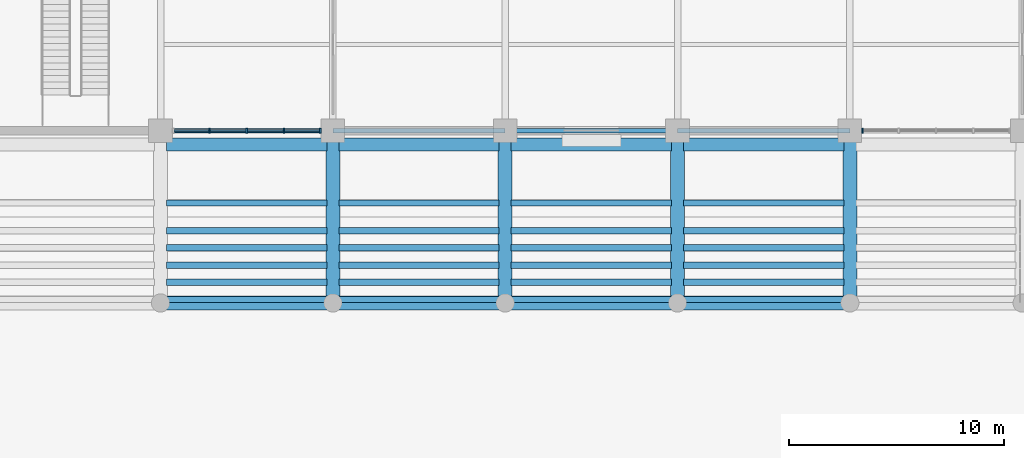
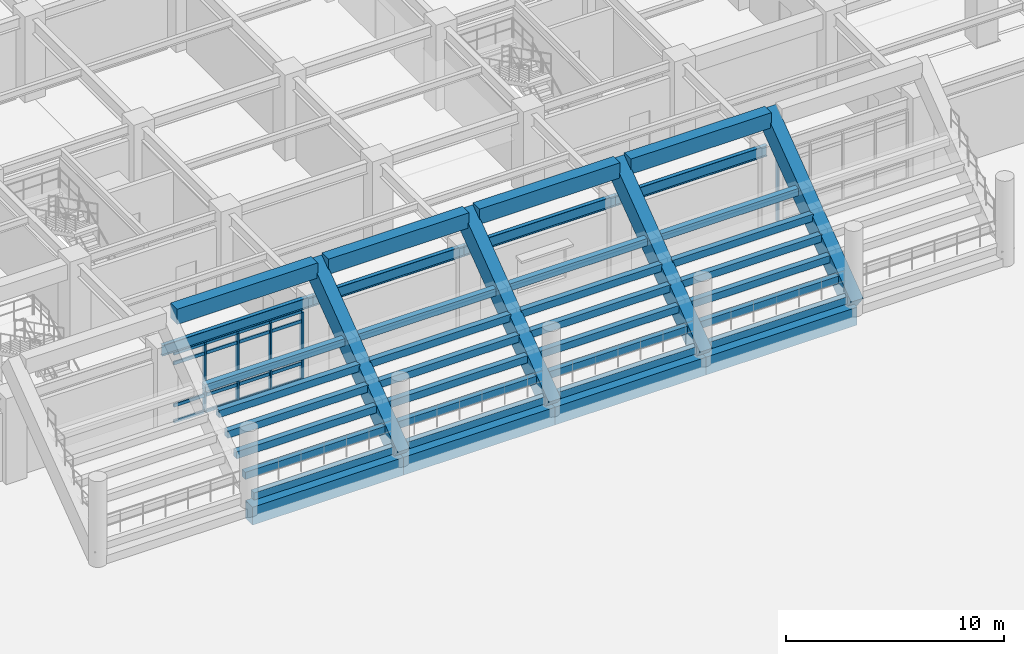
# One storey, part 46 of 125: 40 beams, 21 members, 2 elements without a shape of their own.
"""IFC4 building model written with IfcOpenShell, lengths in metres."""

from ifc_helpers import new_model, si_unit, direction, frame, origin, origin_2d, place, context, subcontext, project, spatial, rectangle, i_section, extrude, material, layer, layer_set, material_profile, profile_set, type_object, element, aggregate, save


model = new_model("IFC4")

# Units and contexts
model_context = context("Model", 3, precision=1e-05, world=origin(), true_north=direction((0.0, 1.0)))
body_context = subcontext(model_context, "Body", "Model", "MODEL_VIEW")
ifc_project = project(units=[si_unit("LENGTHUNIT", "METRE"), si_unit("AREAUNIT", "SQUARE_METRE"), si_unit("VOLUMEUNIT", "CUBIC_METRE"), si_unit("PLANEANGLEUNIT", "RADIAN"), si_unit("MASSUNIT", "GRAM", prefix="KILO")], contexts=[model_context])

# Site, building, storey
site_placement = place(None, origin())
site = spatial("IfcSite", under=ifc_project, at=site_placement, CompositionType="ELEMENT")
building_placement = place(site_placement, origin())
building = spatial("IfcBuilding", under=site, at=building_placement, Name="Haebicheon Civic Stadium", CompositionType="ELEMENT")
storey_placement = place(building_placement, origin())
storey = spatial("IfcBuildingStorey", under=building, at=storey_placement, Name="L01", CompositionType="ELEMENT", Elevation=0.0)

# Beams
ifc_material_1 = material(Name="Precast concrete C40/50", Category="concrete")
ifc_material_profile_1 = material_profile(ifc_material_1, rectangle(XDim=0.300048828125, YDim=0.39990234375, at=origin_2d()), Name="PC-LN-300x400")
ifc_profile_set_1 = profile_set([ifc_material_profile_1], Name="Precast concrete C40/50")
beam_type_1 = type_object("IfcBeamType", Name="BM-LN-300x400", PredefinedType="LINTEL", material=ifc_profile_set_1)
for number, where, z_axis, x_axis, name in (
    (1, (88.280029296875, 144.159912109375, 0.760009765625), (1.0, 0.0, 0.0), (0.0, 1.0, 0.0), "TIER-N-L precast step carrier beam 2.1"),
    (2, (88.280029296875, 144.9599609375, 1.427001953125), (1.0, 0.0, 0.0), (0.0, 1.0, 0.0), "TIER-N-L precast step carrier beam 2.2"),
    (3, (88.280029296875, 145.760009765625, 2.093017578125), (1.0, 0.0, 0.0), (0.0, 1.0, 0.0), "TIER-N-L precast step carrier beam 2.3"),
    (4, (88.280029296875, 146.56005859375, 2.760009765625), (1.0, 0.0, 0.0), (0.0, 1.0, 0.0), "TIER-N-L precast step carrier beam 2.4"),
    (5, (88.280029296875, 147.360107421875, 3.427001953125), (1.0, 0.0, 0.0), (0.0, 1.0, 0.0), "TIER-N-L precast step carrier beam 2.5"),
    (6, (88.280029296875, 148.639892578125, 4.093017578125), (1.0, 0.0, 0.0), (0.0, 1.0, 0.0), "TIER-N-L precast step carrier beam 2.6"),
    (7, (96.280029296875, 144.159912109375, 0.760009765625), (1.0, 0.0, 0.0), (0.0, 1.0, 0.0), "TIER-N-L precast step carrier beam 3.1"),
    (8, (96.280029296875, 144.9599609375, 1.427001953125), (1.0, 0.0, 0.0), (0.0, 1.0, 0.0), "TIER-N-L precast step carrier beam 3.2"),
    (9, (96.280029296875, 145.760009765625, 2.093017578125), (1.0, 0.0, 0.0), (0.0, 1.0, 0.0), "TIER-N-L precast step carrier beam 3.3"),
    (10, (96.280029296875, 146.56005859375, 2.760009765625), (1.0, 0.0, 0.0), (0.0, 1.0, 0.0), "TIER-N-L precast step carrier beam 3.4"),
    (11, (96.280029296875, 147.360107421875, 3.427001953125), (1.0, 0.0, 0.0), (0.0, 1.0, 0.0), "TIER-N-L precast step carrier beam 3.5"),
    (12, (96.280029296875, 148.639892578125, 4.093017578125), (1.0, 0.0, 0.0), (0.0, 1.0, 0.0), "TIER-N-L precast step carrier beam 3.6"),
    (13, (104.280029296875, 144.159912109375, 0.760009765625), (1.0, 0.0, 0.0), (0.0, 1.0, 0.0), "TIER-N-L precast step carrier beam 4.1"),
    (14, (104.280029296875, 144.9599609375, 1.427001953125), (1.0, 0.0, 0.0), (0.0, 1.0, 0.0), "TIER-N-L precast step carrier beam 4.2"),
    (15, (104.280029296875, 145.760009765625, 2.093017578125), (1.0, 0.0, 0.0), (0.0, 1.0, 0.0), "TIER-N-L precast step carrier beam 4.3"),
    (16, (104.280029296875, 146.56005859375, 2.760009765625), (1.0, 0.0, 0.0), (0.0, 1.0, 0.0), "TIER-N-L precast step carrier beam 4.4"),
    (17, (104.280029296875, 147.360107421875, 3.427001953125), (1.0, 0.0, 0.0), (0.0, 1.0, 0.0), "TIER-N-L precast step carrier beam 4.5"),
    (18, (104.280029296875, 148.639892578125, 4.093017578125), (1.0, 0.0, 0.0), (0.0, 1.0, 0.0), "TIER-N-L precast step carrier beam 4.6"),
    (19, (112.280029296875, 144.159912109375, 0.760009765625), (1.0, 0.0, 0.0), (0.0, 1.0, 0.0), "TIER-N-L precast step carrier beam 5.1"),
    (20, (112.280029296875, 144.9599609375, 1.427001953125), (1.0, 0.0, 0.0), (0.0, 1.0, 0.0), "TIER-N-L precast step carrier beam 5.2"),
    (21, (112.280029296875, 145.760009765625, 2.093017578125), (1.0, 0.0, 0.0), (0.0, 1.0, 0.0), "TIER-N-L precast step carrier beam 5.3"),
    (22, (112.280029296875, 146.56005859375, 2.760009765625), (1.0, 0.0, 0.0), (0.0, 1.0, 0.0), "TIER-N-L precast step carrier beam 5.4"),
    (23, (112.280029296875, 147.360107421875, 3.427001953125), (1.0, 0.0, 0.0), (0.0, 1.0, 0.0), "TIER-N-L precast step carrier beam 5.5"),
    (24, (112.280029296875, 148.639892578125, 4.093017578125), (1.0, 0.0, 0.0), (0.0, 1.0, 0.0), "TIER-N-L precast step carrier beam 5.6"),
):
    element("IfcBeam", number, at=place(storey_placement, frame(where, z_axis=z_axis, x_axis=x_axis)), inside=storey, type_object=beam_type_1, material=ifc_profile_set_1, Name=name, PredefinedType="LINTEL", context=body_context, shape_type="SweptSolid", body=[
        extrude(rectangle(XDim=0.300048828125, YDim=0.39990234375, at=origin_2d()), origin(), (0.0, 0.0, 1.0), 7.43994140625),
    ])
ifc_material_2 = material(Name="Concrete C40/50", Category="concrete")
ifc_material_profile_2 = material_profile(ifc_material_2, rectangle(XDim=0.64990234375, YDim=1.0, at=origin_2d()), Name="RC-BM-650x1000")
ifc_profile_set_2 = profile_set([ifc_material_profile_2], Name="Concrete C40/50")
beam_type_2 = type_object("IfcBeamType", Name="BM-RC-650x1000", PredefinedType="BEAM", material=ifc_profile_set_2)
for number, where, z_axis, x_axis, name in (
    (25, (88.0, 144.0, -0.0400390625), (1.0, 0.0, 0.0), (0.0, 1.0, 0.0), "TIER-N-L nose support girder 2"),
    (26, (96.0, 144.0, -0.0400390625), (1.0, 0.0, 0.0), (0.0, 1.0, 0.0), "TIER-N-L nose support girder 3"),
    (27, (104.0, 144.0, -0.0400390625), (1.0, 0.0, 0.0), (0.0, 1.0, 0.0), "TIER-N-L nose support girder 4"),
    (28, (112.0, 144.0, -0.0400390625), (1.0, 0.0, 0.0), (0.0, 1.0, 0.0), "TIER-N-L nose support girder 5"),
):
    element("IfcBeam", number, at=place(storey_placement, frame(where, z_axis=z_axis, x_axis=x_axis)), inside=storey, type_object=beam_type_2, material=ifc_profile_set_2, Name=name, PredefinedType="BEAM", context=body_context, shape_type="SweptSolid", body=[
        extrude(rectangle(XDim=0.64990234375, YDim=1.0, at=origin_2d()), origin(), (0.0, 0.0, 1.0), 8.0),
    ])
ifc_material_3 = material(Name="Precast concrete C40/50", Category="concrete")
ifc_material_profile_3 = material_profile(ifc_material_3, rectangle(XDim=0.60009765625, YDim=0.85009765625, at=origin_2d()), Name="PC-TB-600x850")
ifc_profile_set_3 = profile_set([ifc_material_profile_3], Name="Precast concrete C40/50")
beam_type_3 = type_object("IfcBeamType", Name="BM-TB-600x850", PredefinedType="T_BEAM", material=ifc_profile_set_3)
for number, where, z_axis, x_axis, name in (
    (29, (88.280029296875, 151.360107421875, 6.534912109375), (1.0, 0.0, 0.0), (0.0, 1.0, 0.0), "TIER-N-L upper tier bench carrier beam 2"),
    (30, (96.280029296875, 151.360107421875, 6.534912109375), (1.0, 0.0, 0.0), (0.0, 1.0, 0.0), "TIER-N-L upper tier bench carrier beam 3"),
    (31, (104.280029296875, 151.360107421875, 6.534912109375), (1.0, 0.0, 0.0), (0.0, 1.0, 0.0), "TIER-N-L upper tier bench carrier beam 4"),
    (32, (112.280029296875, 151.360107421875, 6.534912109375), (1.0, 0.0, 0.0), (0.0, 1.0, 0.0), "TIER-N-L upper tier bench carrier beam 5"),
):
    element("IfcBeam", number, at=place(storey_placement, frame(where, z_axis=z_axis, x_axis=x_axis)), inside=storey, type_object=beam_type_3, material=ifc_profile_set_3, Name=name, PredefinedType="T_BEAM", context=body_context, shape_type="SweptSolid", body=[
        extrude(rectangle(XDim=0.60009765625, YDim=0.85009765625, at=origin_2d()), origin(), (0.0, 0.0, 1.0), 7.43994140625),
    ])

# Curtain wall, members
ifc_material_4 = material(Name="Anodised aluminium and laminated glass", Category="aluminium")
ifc_layer = layer(ifc_material_4, 0.179931640625, Name="Anodised aluminium and laminated glass")
ifc_layer_set = layer_set([ifc_layer], Name="Anodised aluminium and laminated glass")
curtain_wall_type = type_object("IfcCurtainWallType", Name="CW-6900x3810", PredefinedType="NOTDEFINED", material=ifc_layer_set)
curtain_wall_1_placement = place(storey_placement, origin())
curtain_wall_1 = element("IfcCurtainWall", 33, at=curtain_wall_1_placement, inside=storey, type_object=curtain_wall_type, material=ifc_layer_set, Name="L01 unitised curtain wall 010", PredefinedType="NOTDEFINED")
ifc_material_5 = material(Name="Anodised aluminium 6063-T6", Category="aluminium")
ifc_material_profile_4 = material_profile(ifc_material_5, rectangle(XDim=0.080078125, YDim=0.239990234375, at=origin_2d()), Name="ALU-MULL-80x240")
ifc_profile_set_4 = profile_set([ifc_material_profile_4], Name="Anodised aluminium 6063-T6")
member_type_1 = type_object("IfcMemberType", Name="CWM-240x80", PredefinedType="MULLION", material=ifc_profile_set_4)
member_1_placement = place(storey_placement, frame((90.27490234375, 152.0, 0.0), z_axis=(0.0, 0.0, 1.0), x_axis=(1.0, 0.0, 0.0)))
member_1 = element("IfcMember", 34, at=member_1_placement, type_object=member_type_1, material=ifc_profile_set_4, Name="CW-L01-010 vertical mullion 2", PredefinedType="MULLION", context=body_context, shape_type="SweptSolid", body=[
    extrude(rectangle(XDim=0.080078125, YDim=0.239990234375, at=origin_2d()), origin(), (0.0, 0.0, 1.0), 3.81005859375),
])
member_2_placement = place(storey_placement, frame((92.0, 152.0, 0.0), z_axis=(0.0, 0.0, 1.0), x_axis=(1.0, 0.0, 0.0)))
member_2 = element("IfcMember", 35, at=member_2_placement, type_object=member_type_1, material=ifc_profile_set_4, Name="CW-L01-010 vertical mullion 3", PredefinedType="MULLION", context=body_context, shape_type="SweptSolid", body=[
    extrude(rectangle(XDim=0.080078125, YDim=0.239990234375, at=origin_2d()), origin(), (0.0, 0.0, 1.0), 3.81005859375),
])
member_3_placement = place(storey_placement, frame((93.72509765625, 152.0, 0.0), z_axis=(0.0, 0.0, 1.0), x_axis=(1.0, 0.0, 0.0)))
member_3 = element("IfcMember", 36, at=member_3_placement, type_object=member_type_1, material=ifc_profile_set_4, Name="CW-L01-010 vertical mullion 4", PredefinedType="MULLION", context=body_context, shape_type="SweptSolid", body=[
    extrude(rectangle(XDim=0.080078125, YDim=0.239990234375, at=origin_2d()), origin(), (0.0, 0.0, 1.0), 3.81005859375),
])
member_4_placement = place(storey_placement, frame((95.409912109375, 152.0, 0.0), z_axis=(0.0, 0.0, 1.0), x_axis=(1.0, 0.0, 0.0)))
member_4 = element("IfcMember", 37, at=member_4_placement, type_object=member_type_1, material=ifc_profile_set_4, Name="CW-L01-010 vertical mullion 5", PredefinedType="MULLION", context=body_context, shape_type="SweptSolid", body=[
    extrude(rectangle(XDim=0.080078125, YDim=0.239990234375, at=origin_2d()), origin(), (0.0, 0.0, 1.0), 3.81005859375),
])

# Curtain wall, member
curtain_wall_2_placement = place(storey_placement, origin())
curtain_wall_2 = element("IfcCurtainWall", 38, at=curtain_wall_2_placement, inside=storey, type_object=curtain_wall_type, material=ifc_layer_set, Name="L01 unitised curtain wall 011", PredefinedType="NOTDEFINED")
member_5_placement = place(storey_placement, frame((120.590087890625, 152.0, 0.0), z_axis=(0.0, 0.0, 1.0), x_axis=(1.0, 0.0, 0.0)))
member_5 = element("IfcMember", 39, at=member_5_placement, type_object=member_type_1, material=ifc_profile_set_4, Name="CW-L01-011 vertical mullion 1", PredefinedType="MULLION", context=body_context, shape_type="SweptSolid", body=[
    extrude(rectangle(XDim=0.080078125, YDim=0.239990234375, at=origin_2d()), origin(), (0.0, 0.0, 1.0), 3.81005859375),
])
aggregate(curtain_wall_2, [member_5])

# Member
ifc_material_6 = material(Name="Anodised aluminium 6063-T6", Category="aluminium")
ifc_material_profile_5 = material_profile(ifc_material_6, rectangle(XDim=0.080078125, YDim=0.179931640625, at=origin_2d()), Name="ALU-TRAN-80x180")
ifc_profile_set_5 = profile_set([ifc_material_profile_5], Name="Anodised aluminium 6063-T6")
member_type_2 = type_object("IfcMemberType", Name="CWT-180x80", PredefinedType="NOTDEFINED", material=ifc_profile_set_5)
member_6_placement = place(storey_placement, frame((88.6298828125, 152.0, 0.0), z_axis=(1.0, 0.0, 0.0), x_axis=(0.0, 1.0, 0.0)))
member_6 = element("IfcMember", 40, at=member_6_placement, type_object=member_type_2, material=ifc_profile_set_5, Name="CW-L01-010 horizontal transom 1.1", ObjectType="TRANSOM", PredefinedType="USERDEFINED", context=body_context, shape_type="SweptSolid", body=[
    extrude(rectangle(XDim=0.080078125, YDim=0.179931640625, at=origin_2d()), origin(), (0.0, 0.0, 1.0), 1.605224609375),
])

member_7_placement = place(storey_placement, frame((88.6298828125, 152.0, 0.89990234375), z_axis=(1.0, 0.0, 0.0), x_axis=(0.0, 1.0, 0.0)))
member_7 = element("IfcMember", 41, at=member_7_placement, type_object=member_type_2, material=ifc_profile_set_5, Name="CW-L01-010 horizontal transom 1.2", ObjectType="TRANSOM", PredefinedType="USERDEFINED", context=body_context, shape_type="SweptSolid", body=[
    extrude(rectangle(XDim=0.080078125, YDim=0.179931640625, at=origin_2d()), origin(), (0.0, 0.0, 1.0), 1.605224609375),
])

member_8_placement = place(storey_placement, frame((88.6298828125, 152.0, 3.260009765625), z_axis=(1.0, 0.0, 0.0), x_axis=(0.0, 1.0, 0.0)))
member_8 = element("IfcMember", 42, at=member_8_placement, type_object=member_type_2, material=ifc_profile_set_5, Name="CW-L01-010 horizontal transom 1.3", ObjectType="TRANSOM", PredefinedType="USERDEFINED", context=body_context, shape_type="SweptSolid", body=[
    extrude(rectangle(XDim=0.080078125, YDim=0.179931640625, at=origin_2d()), origin(), (0.0, 0.0, 1.0), 1.605224609375),
])

member_9_placement = place(storey_placement, frame((88.6298828125, 152.0, 3.81005859375), z_axis=(1.0, 0.0, 0.0), x_axis=(0.0, 1.0, 0.0)))
member_9 = element("IfcMember", 43, at=member_9_placement, type_object=member_type_2, material=ifc_profile_set_5, Name="CW-L01-010 horizontal transom 1.4", ObjectType="TRANSOM", PredefinedType="USERDEFINED", context=body_context, shape_type="SweptSolid", body=[
    extrude(rectangle(XDim=0.080078125, YDim=0.179931640625, at=origin_2d()), origin(), (0.0, 0.0, 1.0), 1.605224609375),
])

member_10_placement = place(storey_placement, frame((90.31494140625, 152.0, 0.0), z_axis=(1.0, 0.0, 0.0), x_axis=(0.0, 1.0, 0.0)))
member_10 = element("IfcMember", 44, at=member_10_placement, type_object=member_type_2, material=ifc_profile_set_5, Name="CW-L01-010 horizontal transom 2.1", ObjectType="TRANSOM", PredefinedType="USERDEFINED", context=body_context, shape_type="SweptSolid", body=[
    extrude(rectangle(XDim=0.080078125, YDim=0.179931640625, at=origin_2d()), origin(), (0.0, 0.0, 1.0), 1.64501953125),
])

member_11_placement = place(storey_placement, frame((90.31494140625, 152.0, 0.89990234375), z_axis=(1.0, 0.0, 0.0), x_axis=(0.0, 1.0, 0.0)))
member_11 = element("IfcMember", 45, at=member_11_placement, type_object=member_type_2, material=ifc_profile_set_5, Name="CW-L01-010 horizontal transom 2.2", ObjectType="TRANSOM", PredefinedType="USERDEFINED", context=body_context, shape_type="SweptSolid", body=[
    extrude(rectangle(XDim=0.080078125, YDim=0.179931640625, at=origin_2d()), origin(), (0.0, 0.0, 1.0), 1.64501953125),
])

member_12_placement = place(storey_placement, frame((90.31494140625, 152.0, 3.260009765625), z_axis=(1.0, 0.0, 0.0), x_axis=(0.0, 1.0, 0.0)))
member_12 = element("IfcMember", 46, at=member_12_placement, type_object=member_type_2, material=ifc_profile_set_5, Name="CW-L01-010 horizontal transom 2.3", ObjectType="TRANSOM", PredefinedType="USERDEFINED", context=body_context, shape_type="SweptSolid", body=[
    extrude(rectangle(XDim=0.080078125, YDim=0.179931640625, at=origin_2d()), origin(), (0.0, 0.0, 1.0), 1.64501953125),
])

member_13_placement = place(storey_placement, frame((90.31494140625, 152.0, 3.81005859375), z_axis=(1.0, 0.0, 0.0), x_axis=(0.0, 1.0, 0.0)))
member_13 = element("IfcMember", 47, at=member_13_placement, type_object=member_type_2, material=ifc_profile_set_5, Name="CW-L01-010 horizontal transom 2.4", ObjectType="TRANSOM", PredefinedType="USERDEFINED", context=body_context, shape_type="SweptSolid", body=[
    extrude(rectangle(XDim=0.080078125, YDim=0.179931640625, at=origin_2d()), origin(), (0.0, 0.0, 1.0), 1.64501953125),
])

member_14_placement = place(storey_placement, frame((92.0400390625, 152.0, 0.0), z_axis=(1.0, 0.0, 0.0), x_axis=(0.0, 1.0, 0.0)))
member_14 = element("IfcMember", 48, at=member_14_placement, type_object=member_type_2, material=ifc_profile_set_5, Name="CW-L01-010 horizontal transom 3.1", ObjectType="TRANSOM", PredefinedType="USERDEFINED", context=body_context, shape_type="SweptSolid", body=[
    extrude(rectangle(XDim=0.080078125, YDim=0.179931640625, at=origin_2d()), origin(), (0.0, 0.0, 1.0), 1.64501953125),
])

member_15_placement = place(storey_placement, frame((92.0400390625, 152.0, 0.89990234375), z_axis=(1.0, 0.0, 0.0), x_axis=(0.0, 1.0, 0.0)))
member_15 = element("IfcMember", 49, at=member_15_placement, type_object=member_type_2, material=ifc_profile_set_5, Name="CW-L01-010 horizontal transom 3.2", ObjectType="TRANSOM", PredefinedType="USERDEFINED", context=body_context, shape_type="SweptSolid", body=[
    extrude(rectangle(XDim=0.080078125, YDim=0.179931640625, at=origin_2d()), origin(), (0.0, 0.0, 1.0), 1.64501953125),
])

member_16_placement = place(storey_placement, frame((92.0400390625, 152.0, 3.260009765625), z_axis=(1.0, 0.0, 0.0), x_axis=(0.0, 1.0, 0.0)))
member_16 = element("IfcMember", 50, at=member_16_placement, type_object=member_type_2, material=ifc_profile_set_5, Name="CW-L01-010 horizontal transom 3.3", ObjectType="TRANSOM", PredefinedType="USERDEFINED", context=body_context, shape_type="SweptSolid", body=[
    extrude(rectangle(XDim=0.080078125, YDim=0.179931640625, at=origin_2d()), origin(), (0.0, 0.0, 1.0), 1.64501953125),
])

member_17_placement = place(storey_placement, frame((92.0400390625, 152.0, 3.81005859375), z_axis=(1.0, 0.0, 0.0), x_axis=(0.0, 1.0, 0.0)))
member_17 = element("IfcMember", 51, at=member_17_placement, type_object=member_type_2, material=ifc_profile_set_5, Name="CW-L01-010 horizontal transom 3.4", ObjectType="TRANSOM", PredefinedType="USERDEFINED", context=body_context, shape_type="SweptSolid", body=[
    extrude(rectangle(XDim=0.080078125, YDim=0.179931640625, at=origin_2d()), origin(), (0.0, 0.0, 1.0), 1.64501953125),
])

member_18_placement = place(storey_placement, frame((93.764892578125, 152.0, 0.0), z_axis=(1.0, 0.0, 0.0), x_axis=(0.0, 1.0, 0.0)))
member_18 = element("IfcMember", 52, at=member_18_placement, type_object=member_type_2, material=ifc_profile_set_5, Name="CW-L01-010 horizontal transom 4.1", ObjectType="TRANSOM", PredefinedType="USERDEFINED", context=body_context, shape_type="SweptSolid", body=[
    extrude(rectangle(XDim=0.080078125, YDim=0.179931640625, at=origin_2d()), origin(), (0.0, 0.0, 1.0), 1.605224609375),
])

member_19_placement = place(storey_placement, frame((93.764892578125, 152.0, 0.89990234375), z_axis=(1.0, 0.0, 0.0), x_axis=(0.0, 1.0, 0.0)))
member_19 = element("IfcMember", 53, at=member_19_placement, type_object=member_type_2, material=ifc_profile_set_5, Name="CW-L01-010 horizontal transom 4.2", ObjectType="TRANSOM", PredefinedType="USERDEFINED", context=body_context, shape_type="SweptSolid", body=[
    extrude(rectangle(XDim=0.080078125, YDim=0.179931640625, at=origin_2d()), origin(), (0.0, 0.0, 1.0), 1.605224609375),
])

member_20_placement = place(storey_placement, frame((93.764892578125, 152.0, 3.260009765625), z_axis=(1.0, 0.0, 0.0), x_axis=(0.0, 1.0, 0.0)))
member_20 = element("IfcMember", 54, at=member_20_placement, type_object=member_type_2, material=ifc_profile_set_5, Name="CW-L01-010 horizontal transom 4.3", ObjectType="TRANSOM", PredefinedType="USERDEFINED", context=body_context, shape_type="SweptSolid", body=[
    extrude(rectangle(XDim=0.080078125, YDim=0.179931640625, at=origin_2d()), origin(), (0.0, 0.0, 1.0), 1.605224609375),
])

member_21_placement = place(storey_placement, frame((93.764892578125, 152.0, 3.81005859375), z_axis=(1.0, 0.0, 0.0), x_axis=(0.0, 1.0, 0.0)))
member_21 = element("IfcMember", 55, at=member_21_placement, type_object=member_type_2, material=ifc_profile_set_5, Name="CW-L01-010 horizontal transom 4.4", ObjectType="TRANSOM", PredefinedType="USERDEFINED", context=body_context, shape_type="SweptSolid", body=[
    extrude(rectangle(XDim=0.080078125, YDim=0.179931640625, at=origin_2d()), origin(), (0.0, 0.0, 1.0), 1.605224609375),
])

aggregate(curtain_wall_1, [member_1, member_2, member_3, member_4, member_6, member_7, member_8, member_9, member_10, member_11, member_12, member_13, member_14, member_15, member_16, member_17, member_18, member_19, member_20, member_21])

# Beams
ifc_material_7 = material(Name="Precast concrete C40/50", Category="concrete")
ifc_material_profile_6 = material_profile(ifc_material_7, rectangle(XDim=0.64990234375, YDim=1.10009765625, at=origin_2d()), Name="PC-RK-650x1100")
ifc_profile_set_6 = profile_set([ifc_material_profile_6], Name="Precast concrete C40/50")
beam_type_4 = type_object("IfcBeamType", Name="RK-PC-650x1100", PredefinedType="USERDEFINED", material=ifc_profile_set_6)
for number, where, z_axis, x_axis, name in (
    (56, (96.0, 144.0, 0.409912109375), (0.0, 0.8, 0.6), (-1.0, 0.0, 0.0), "TIER-N-L inclined precast raker beam 3"),
    (57, (104.0, 144.0, 0.409912109375), (0.0, 0.8, 0.6), (-1.0, 0.0, 0.0), "TIER-N-L inclined precast raker beam 4"),
    (58, (112.0, 144.0, 0.409912109375), (0.0, 0.8, 0.6), (-1.0, 0.0, 0.0), "TIER-N-L inclined precast raker beam 5"),
    (59, (120.0, 144.0, 0.409912109375), (0.0, 0.8, 0.6), (-1.0, 0.0, 0.0), "TIER-N-L inclined precast raker beam 6"),
):
    element("IfcBeam", number, at=place(storey_placement, frame(where, z_axis=z_axis, x_axis=x_axis)), inside=storey, type_object=beam_type_4, material=ifc_profile_set_6, Name=name, ObjectType="RAKER BEAM", PredefinedType="USERDEFINED", context=body_context, shape_type="SweptSolid", body=[
        extrude(rectangle(XDim=0.64990234375, YDim=1.10009765625, at=origin_2d()), origin(), (0.0, 0.0, 1.0), 10.0),
    ])
ifc_material_8 = material(Name="Steel SM355 (S355)", Category="steel")
ifc_material_profile_7 = material_profile(ifc_material_8, i_section(OverallWidth=0.199951171875, OverallDepth=0.60009765625, WebThickness=0.010986328125, FlangeThickness=0.01708984375, at=origin_2d()), Name="H-600x200x11x17")
ifc_profile_set_7 = profile_set([ifc_material_profile_7], Name="Steel SM355 (S355)")
beam_type_5 = type_object("IfcBeamType", Name="SPD-ST-H600B", PredefinedType="SPANDREL", material=ifc_profile_set_7)
for number, where, z_axis, x_axis, name in (
    (60, (88.0, 152.0, 4.219970703125), (1.0, 0.0, 0.0), (0.0, 1.0, 0.0), "L01 beam V/12-13"),
    (61, (96.0, 152.0, 4.219970703125), (1.0, 0.0, 0.0), (0.0, 1.0, 0.0), "L01 beam V/13-14"),
    (62, (104.0, 152.0, 4.219970703125), (1.0, 0.0, 0.0), (0.0, 1.0, 0.0), "L01 beam V/14-15"),
    (63, (112.0, 152.0, 4.219970703125), (1.0, 0.0, 0.0), (0.0, 1.0, 0.0), "L01 beam V/15-16"),
):
    element("IfcBeam", number, at=place(storey_placement, frame(where, z_axis=z_axis, x_axis=x_axis)), inside=storey, type_object=beam_type_5, material=ifc_profile_set_7, Name=name, PredefinedType="SPANDREL", context=body_context, shape_type="SweptSolid", body=[
        extrude(i_section(OverallWidth=0.199951171875, OverallDepth=0.60009765625, WebThickness=0.010986328125, FlangeThickness=0.01708984375, at=origin_2d()), origin(), (0.0, 0.0, 1.0), 8.0),
    ])

save(model, "model.ifc")
